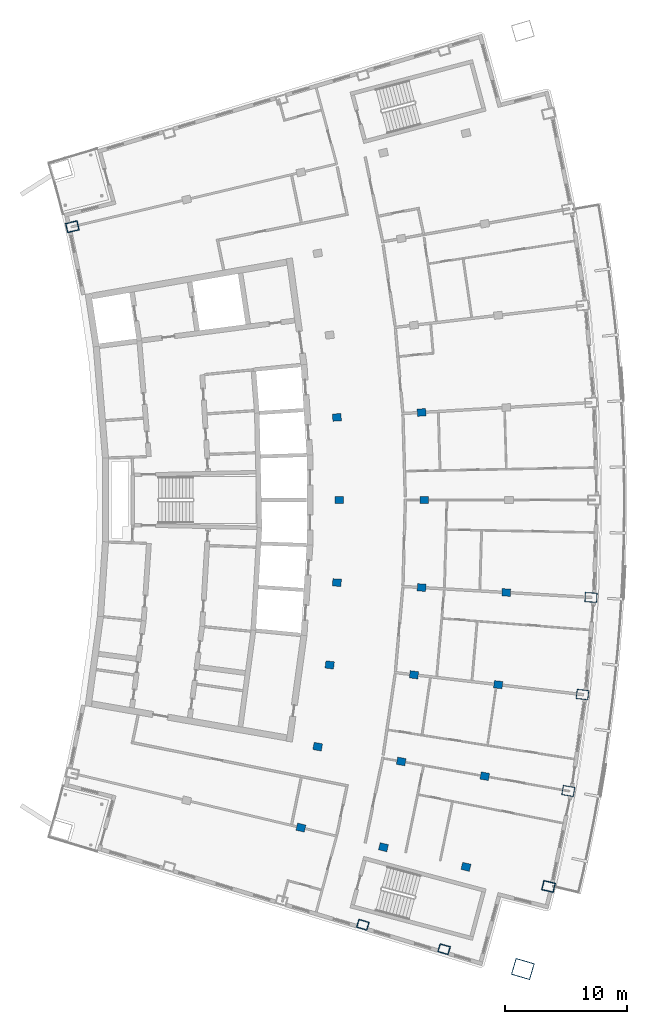
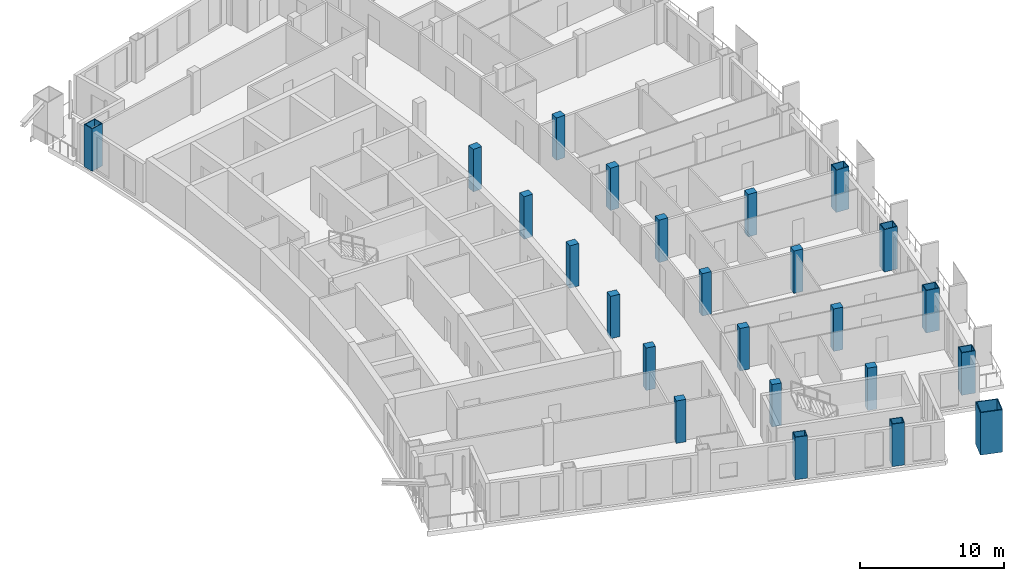
# One storey, part 2 of 17: 24 columns.
"""IFC4 building model written with IfcOpenShell, lengths in metres."""

from ifc_helpers import new_model, si_unit, direction, frame, origin, origin_2d, place, context, subcontext, project, spatial, rectangle, hollow_rectangle, extrude, material, material_profile, profile_set, type_object, element, save


model = new_model("IFC4")

# Units and contexts
model_context = context("Model", 3, precision=1e-05, world=origin(), true_north=direction((0.0, 1.0)))
body_context = subcontext(model_context, "Body", "Model", "MODEL_VIEW")
ifc_project = project(units=[si_unit("LENGTHUNIT", "METRE"), si_unit("AREAUNIT", "SQUARE_METRE"), si_unit("VOLUMEUNIT", "CUBIC_METRE"), si_unit("PLANEANGLEUNIT", "RADIAN"), si_unit("MASSUNIT", "GRAM", prefix="KILO")], contexts=[model_context])

# Site, building, storey
site_placement = place(None, origin())
site = spatial("IfcSite", under=ifc_project, at=site_placement, CompositionType="ELEMENT")
building_placement = place(site_placement, origin())
building = spatial("IfcBuilding", under=site, at=building_placement, Name="Alderwake Tower", CompositionType="ELEMENT")
storey_placement = place(building_placement, frame((0.0, 0.0, 260.0)))
storey = spatial("IfcBuildingStorey", under=building, at=storey_placement, Name="L64", CompositionType="ELEMENT", Elevation=260.0)

# Columns
ifc_material_1 = material(Name="Steel ASTM A572 Grade 50 concrete filled C70/85", Category="concrete")
ifc_material_profile_1 = material_profile(ifc_material_1, hollow_rectangle(XDim=0.699951171875, YDim=0.89990234375, WallThickness=0.050048828125, at=origin_2d()), Name="BOX 900X700X50")
ifc_profile_set_1 = profile_set([ifc_material_profile_1], Name="Steel ASTM A572 Grade 50 concrete filled C70/85")
column_type_1 = type_object("IfcColumnType", Name="End column Z5", PredefinedType="COLUMN", material=ifc_profile_set_1)
for number, where, z_axis, x_axis, name in (
    (1, (37.720947265625, 26.283203125, 0.0), (0.0, 0.0, 1.0), (0.282862128353, 0.959160579019, 0.0), "Column R02-C3"),
    (2, (44.361572265625, 24.28955078125, 0.0), (0.0, 0.0, 1.0), (0.28311490023, 0.95908599889, 0.0), "Column R02-C4"),
):
    element("IfcColumn", number, at=place(storey_placement, frame(where, z_axis=z_axis, x_axis=x_axis)), inside=storey, type_object=column_type_1, Name=name, PredefinedType="COLUMN", context=body_context, shape_type="SweptSolid", body=[
        extrude(hollow_rectangle(XDim=0.699951171875, YDim=0.89990234375, WallThickness=0.050048828125, at=origin_2d()), origin(), (0.0, 0.0, 1.0), 3.60009765625),
    ])
ifc_material_2 = material(Name="Concrete C70/85", Category="concrete")
ifc_material_profile_2 = material_profile(ifc_material_2, rectangle(XDim=0.60009765625, YDim=0.699951171875, at=origin_2d()), Name="RC 700X600")
ifc_profile_set_2 = profile_set([ifc_material_profile_2], Name="Concrete C70/85")
column_type_2 = type_object("IfcColumnType", Name="Interior column Z5", PredefinedType="COLUMN", material=ifc_profile_set_2)
for number, where, z_axis, x_axis, name in (
    (3, (32.661865234375, 34.224609375, 0.0), (0.0, 0.0, 1.0), (0.231221547198, 0.972901123502, 0.0), "Column R03-C2"),
    (4, (39.407470703125, 32.621337890625, 0.0), (0.0, 0.0, 1.0), (0.231221547198, 0.972901123502, 0.0), "Column R03-C3"),
    (5, (46.15283203125, 31.018310546875, 0.0), (0.0, 0.0, 1.0), (0.231221547198, 0.972901123502, 0.0), "Column R03-C4"),
    (6, (34.03125, 40.83837890625, 0.0), (0.0, 0.0, 1.0), (0.174108800747, 0.984726421654, 0.0), "Column R04-C2"),
    (7, (40.858642578125, 39.631103515625, 0.0), (0.0, 0.0, 1.0), (0.174108800747, 0.984726421654, 0.0), "Column R04-C3"),
    (8, (47.686279296875, 38.424072265625, 0.0), (0.0, 0.0, 1.0), (0.174108800747, 0.984726421654, 0.0), "Column R04-C4"),
    (9, (35.0126953125, 47.5205078125, 0.0), (0.0, 0.0, 1.0), (0.116402054316, 0.993202175668, 0.0), "Column R05-C2"),
    (10, (41.89892578125, 46.713623046875, 0.0), (0.0, 0.0, 1.0), (0.116402054316, 0.993202175668, 0.0), "Column R05-C3"),
    (11, (48.78515625, 45.906494140625, 0.0), (0.0, 0.0, 1.0), (0.116402054316, 0.993202175668, 0.0), "Column R05-C4"),
    (12, (35.60302734375, 54.248779296875, 0.0), (0.0, 0.0, 1.0), (0.058301061284, 0.998299046505, 0.0), "Column R06-C2"),
    (13, (42.5244140625, 53.844482421875, 0.0), (0.0, 0.0, 1.0), (0.058301061284, 0.998299046505, 0.0), "Column R06-C3"),
    (14, (49.446044921875, 53.4404296875, 0.0), (0.0, 0.0, 1.0), (0.058301061284, 0.998299046505, 0.0), "Column R06-C4"),
    (15, (35.800048828125, 61.0, 0.0), (0.0, 0.0, 1.0), (0.0, 1.0, 0.0), "Column R07-C2"),
    (16, (42.7333984375, 61.0, 0.0), (0.0, 0.0, 1.0), (0.0, 1.0, 0.0), "Column R07-C3"),
    (17, (35.60302734375, 67.751220703125, 0.0), (0.0, 0.0, 1.0), (-0.058301061284, 0.998299046505, 0.0), "Column R08-C2"),
    (18, (42.5244140625, 68.155517578125, 0.0), (0.0, 0.0, 1.0), (-0.058301061284, 0.998299046505, 0.0), "Column R08-C3"),
):
    element("IfcColumn", number, at=place(storey_placement, frame(where, z_axis=z_axis, x_axis=x_axis)), inside=storey, type_object=column_type_2, Name=name, PredefinedType="COLUMN", context=body_context, shape_type="SweptSolid", body=[
        extrude(rectangle(XDim=0.60009765625, YDim=0.699951171875, at=origin_2d()), origin(), (0.0, 0.0, 1.0), 3.60009765625),
    ])
ifc_material_3 = material(Name="Steel ASTM A572 Grade 50 concrete filled C70/85", Category="concrete")
ifc_material_profile_3 = material_profile(ifc_material_3, hollow_rectangle(XDim=1.39990234375, YDim=1.60009765625, WallThickness=0.070068359375, at=origin_2d()), Name="BOX 1600X1400X70")
ifc_profile_set_3 = profile_set([ifc_material_profile_3], Name="Steel ASTM A572 Grade 50 concrete filled C70/85")
column_type_3 = type_object("IfcColumnType", Name="Mega column Z5", PredefinedType="COLUMN", material=ifc_profile_set_3)
column_placement = place(storey_placement, frame((50.798828125, 22.66796875, 0.0), z_axis=(0.0, 0.0, 1.0), x_axis=(0.281232869624, 0.959639553709, 0.0)))
element("IfcColumn", 19, at=column_placement, inside=storey, type_object=column_type_3, Name="Column R02-C5", PredefinedType="COLUMN", context=body_context, shape_type="SweptSolid", body=[
    extrude(hollow_rectangle(XDim=1.39990234375, YDim=1.60009765625, WallThickness=0.070068359375, at=origin_2d()), origin(), (0.0, 0.0, 1.0), 3.60009765625),
])
ifc_material_4 = material(Name="Steel ASTM A572 Grade 50 concrete filled C70/85", Category="concrete")
ifc_material_profile_4 = material_profile(ifc_material_4, hollow_rectangle(XDim=0.800048828125, YDim=1.0, WallThickness=0.054931640625, at=origin_2d()), Name="BOX 1000X800X55")
ifc_profile_set_4 = profile_set([ifc_material_profile_4], Name="Steel ASTM A572 Grade 50 concrete filled C70/85")
column_type_4 = type_object("IfcColumnType", Name="Perimeter column Z5", PredefinedType="COLUMN", material=ifc_profile_set_4)
for number, where, z_axis, x_axis, name in (
    (20, (52.898193359375, 29.4150390625, 0.0), (0.0, 0.0, 1.0), (0.231221547198, 0.972901123502, 0.0), "Column R03-C5"),
    (21, (54.513671875, 37.216796875, 0.0), (0.0, 0.0, 1.0), (0.174108800747, 0.984726421654, 0.0), "Column R04-C5"),
    (22, (55.67138671875, 45.099609375, 0.0), (0.0, 0.0, 1.0), (0.116402054316, 0.993202175668, 0.0), "Column R05-C5"),
    (23, (56.36767578125, 53.0361328125, 0.0), (0.0, 0.0, 1.0), (0.058299318924, 0.998299148258, 0.0), "Column R06-C5"),
    (24, (13.982177734375, 83.3359375, 0.0), (0.0, 0.0, 1.0), (-0.231221547198, 0.972901123502, 0.0), "Column R11-C0"),
):
    element("IfcColumn", number, at=place(storey_placement, frame(where, z_axis=z_axis, x_axis=x_axis)), inside=storey, type_object=column_type_4, Name=name, PredefinedType="COLUMN", context=body_context, shape_type="SweptSolid", body=[
        extrude(hollow_rectangle(XDim=0.800048828125, YDim=1.0, WallThickness=0.054931640625, at=origin_2d()), origin(), (0.0, 0.0, 1.0), 3.60009765625),
    ])

save(model, "model.ifc")
